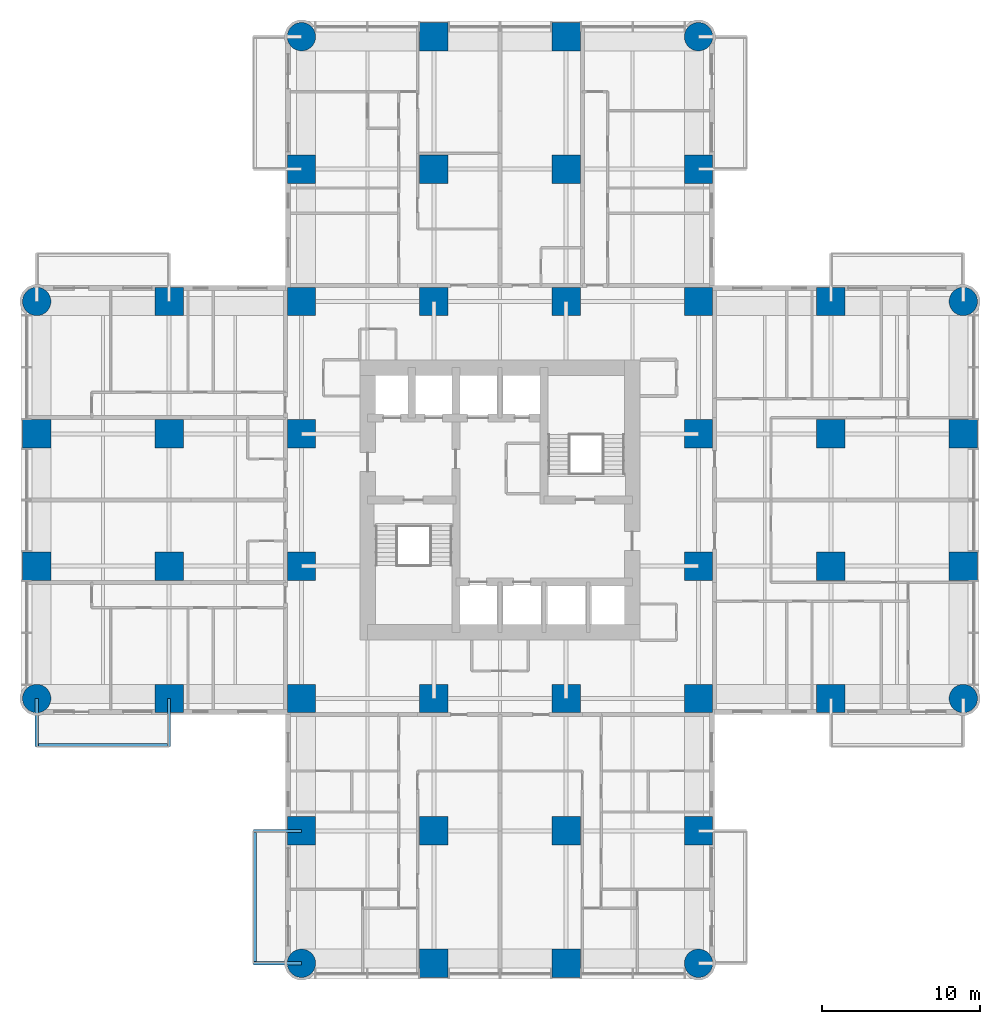
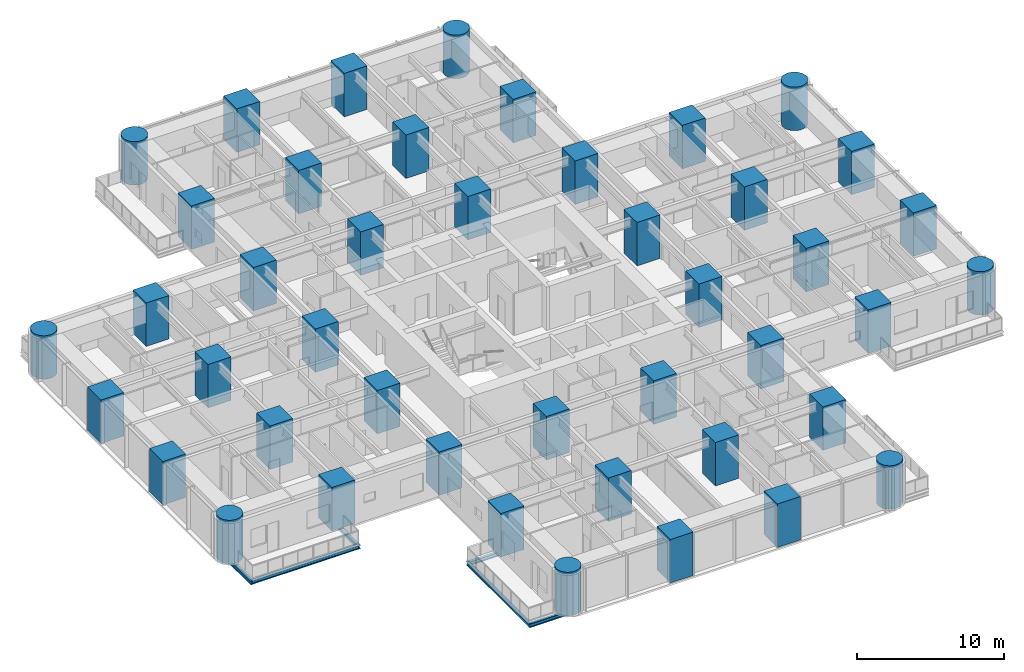
# One storey, part 1 of 17: 44 columns, 6 beams.
"""IFC4 building model written with IfcOpenShell, lengths in metres."""

from ifc_helpers import new_model, si_unit, direction, frame, origin, origin_2d, place, context, subcontext, project, spatial, rectangle, circle, i_section, extrude, material, material_profile, profile_set, type_object, element, save


model = new_model("IFC4")

# Units and contexts
model_context = context("Model", 3, precision=1e-05, world=origin(), true_north=direction((0.0, 1.0)))
body_context = subcontext(model_context, "Body", "Model", "MODEL_VIEW")
ifc_project = project(units=[si_unit("LENGTHUNIT", "METRE"), si_unit("AREAUNIT", "SQUARE_METRE"), si_unit("VOLUMEUNIT", "CUBIC_METRE"), si_unit("PLANEANGLEUNIT", "RADIAN"), si_unit("MASSUNIT", "GRAM", prefix="KILO")], contexts=[model_context])

# Site, building, storey
site_placement = place(None, origin())
site = spatial("IfcSite", under=ifc_project, at=site_placement, CompositionType="ELEMENT")
building_placement = place(site_placement, origin())
building = spatial("IfcBuilding", under=site, at=building_placement, Name="Torre Alcanfor", CompositionType="ELEMENT")
storey_placement = place(building_placement, frame((0.0, 0.0, 70.5)))
storey = spatial("IfcBuildingStorey", under=building, at=storey_placement, Name="L17", CompositionType="ELEMENT", Elevation=70.5)

# Columns
ifc_material_1 = material(Name="Concrete f'c 70 MPa", Category="concrete")
ifc_material_profile_1 = material_profile(ifc_material_1, rectangle(XDim=1.800048828125, YDim=1.800048828125, at=origin_2d()), Name="1800x1800")
ifc_profile_set_1 = profile_set([ifc_material_profile_1], Name="Concrete f'c 70 MPa")
column_type_1 = type_object("IfcColumnType", Name="RC column 1800x1800 f'c70", PredefinedType="COLUMN", material=ifc_profile_set_1)
for number, where, z_axis, x_axis, name in (
    (1, (0.0, 25.199951171875, 0.0), (0.0, 0.0, 1.0), (1.0, 0.0, 0.0), "Column 1/F L17"),
    (2, (0.0, 33.60009765625, 0.0), (0.0, 0.0, 1.0), (1.0, 0.0, 0.0), "Column 1/G L17"),
    (3, (8.39990234375, 16.800048828125, 0.0), (0.0, 0.0, 1.0), (1.0, 0.0, 0.0), "Column 2/E L17"),
    (4, (8.39990234375, 25.199951171875, 0.0), (0.0, 0.0, 1.0), (1.0, 0.0, 0.0), "Column 2/F L17"),
    (5, (8.39990234375, 33.60009765625, 0.0), (0.0, 0.0, 1.0), (1.0, 0.0, 0.0), "Column 2/G L17"),
    (6, (8.39990234375, 42.0, 0.0), (0.0, 0.0, 1.0), (1.0, 0.0, 0.0), "Column 2/H L17"),
    (7, (16.800048828125, 8.39990234375, 0.0), (0.0, 0.0, 1.0), (1.0, 0.0, 0.0), "Column 3/D L17"),
    (8, (16.800048828125, 16.800048828125, 0.0), (0.0, 0.0, 1.0), (1.0, 0.0, 0.0), "Column 3/E L17"),
    (9, (16.800048828125, 25.199951171875, 0.0), (0.0, 0.0, 1.0), (1.0, 0.0, 0.0), "Column 3/F L17"),
    (10, (16.800048828125, 33.60009765625, 0.0), (0.0, 0.0, 1.0), (1.0, 0.0, 0.0), "Column 3/G L17"),
    (11, (16.800048828125, 42.0, 0.0), (0.0, 0.0, 1.0), (1.0, 0.0, 0.0), "Column 3/H L17"),
    (12, (16.800048828125, 50.39990234375, 0.0), (0.0, 0.0, 1.0), (1.0, 0.0, 0.0), "Column 3/J L17"),
    (13, (25.199951171875, 0.0, 0.0), (0.0, 0.0, 1.0), (1.0, 0.0, 0.0), "Column 4/C L17"),
    (14, (25.199951171875, 8.39990234375, 0.0), (0.0, 0.0, 1.0), (1.0, 0.0, 0.0), "Column 4/D L17"),
    (15, (25.199951171875, 16.800048828125, 0.0), (0.0, 0.0, 1.0), (1.0, 0.0, 0.0), "Column 4/E L17"),
    (16, (25.199951171875, 42.0, 0.0), (0.0, 0.0, 1.0), (1.0, 0.0, 0.0), "Column 4/H L17"),
    (17, (25.199951171875, 50.39990234375, 0.0), (0.0, 0.0, 1.0), (1.0, 0.0, 0.0), "Column 4/J L17"),
    (18, (25.199951171875, 58.800048828125, 0.0), (0.0, 0.0, 1.0), (1.0, 0.0, 0.0), "Column 4/K L17"),
    (19, (33.60009765625, 0.0, 0.0), (0.0, 0.0, 1.0), (1.0, 0.0, 0.0), "Column 5/C L17"),
    (20, (33.60009765625, 8.39990234375, 0.0), (0.0, 0.0, 1.0), (1.0, 0.0, 0.0), "Column 5/D L17"),
    (21, (33.60009765625, 16.800048828125, 0.0), (0.0, 0.0, 1.0), (1.0, 0.0, 0.0), "Column 5/E L17"),
    (22, (33.60009765625, 42.0, 0.0), (0.0, 0.0, 1.0), (1.0, 0.0, 0.0), "Column 5/H L17"),
    (23, (33.60009765625, 50.39990234375, 0.0), (0.0, 0.0, 1.0), (1.0, 0.0, 0.0), "Column 5/J L17"),
    (24, (33.60009765625, 58.800048828125, 0.0), (0.0, 0.0, 1.0), (1.0, 0.0, 0.0), "Column 5/K L17"),
    (25, (42.0, 8.39990234375, 0.0), (0.0, 0.0, 1.0), (1.0, 0.0, 0.0), "Column 6/D L17"),
    (26, (42.0, 16.800048828125, 0.0), (0.0, 0.0, 1.0), (1.0, 0.0, 0.0), "Column 6/E L17"),
    (27, (42.0, 25.199951171875, 0.0), (0.0, 0.0, 1.0), (1.0, 0.0, 0.0), "Column 6/F L17"),
    (28, (42.0, 33.60009765625, 0.0), (0.0, 0.0, 1.0), (1.0, 0.0, 0.0), "Column 6/G L17"),
    (29, (42.0, 42.0, 0.0), (0.0, 0.0, 1.0), (1.0, 0.0, 0.0), "Column 6/H L17"),
    (30, (42.0, 50.39990234375, 0.0), (0.0, 0.0, 1.0), (1.0, 0.0, 0.0), "Column 6/J L17"),
    (31, (50.39990234375, 16.800048828125, 0.0), (0.0, 0.0, 1.0), (1.0, 0.0, 0.0), "Column 7/E L17"),
    (32, (50.39990234375, 25.199951171875, 0.0), (0.0, 0.0, 1.0), (1.0, 0.0, 0.0), "Column 7/F L17"),
    (33, (50.39990234375, 33.60009765625, 0.0), (0.0, 0.0, 1.0), (1.0, 0.0, 0.0), "Column 7/G L17"),
    (34, (50.39990234375, 42.0, 0.0), (0.0, 0.0, 1.0), (1.0, 0.0, 0.0), "Column 7/H L17"),
    (35, (58.800048828125, 25.199951171875, 0.0), (0.0, 0.0, 1.0), (1.0, 0.0, 0.0), "Column 8/F L17"),
    (36, (58.800048828125, 33.60009765625, 0.0), (0.0, 0.0, 1.0), (1.0, 0.0, 0.0), "Column 8/G L17"),
):
    element("IfcColumn", number, at=place(storey_placement, frame(where, z_axis=z_axis, x_axis=x_axis)), inside=storey, type_object=column_type_1, Name=name, PredefinedType="COLUMN", context=body_context, shape_type="SweptSolid", body=[
        extrude(rectangle(XDim=1.800048828125, YDim=1.800048828125, at=origin_2d()), origin(), (0.0, 0.0, 1.0), 3.60009765625),
    ])
ifc_material_2 = material(Name="Concrete f'c 70 MPa", Category="concrete")
ifc_material_profile_2 = material_profile(ifc_material_2, circle(Radius=0.89990234375, at=origin_2d()), Name="D1800")
ifc_profile_set_2 = profile_set([ifc_material_profile_2], Name="Concrete f'c 70 MPa")
column_type_2 = type_object("IfcColumnType", Name="RC column D1800 f'c70", PredefinedType="COLUMN", material=ifc_profile_set_2)
for number, where, z_axis, x_axis, name in (
    (37, (0.0, 16.800048828125, 0.0), (0.0, 0.0, 1.0), (1.0, 0.0, 0.0), "Column 1/E L17"),
    (38, (0.0, 42.0, 0.0), (0.0, 0.0, 1.0), (1.0, 0.0, 0.0), "Column 1/H L17"),
    (39, (16.800048828125, 0.0, 0.0), (0.0, 0.0, 1.0), (1.0, 0.0, 0.0), "Column 3/C L17"),
    (40, (16.800048828125, 58.800048828125, 0.0), (0.0, 0.0, 1.0), (1.0, 0.0, 0.0), "Column 3/K L17"),
    (41, (42.0, 0.0, 0.0), (0.0, 0.0, 1.0), (1.0, 0.0, 0.0), "Column 6/C L17"),
    (42, (42.0, 58.800048828125, 0.0), (0.0, 0.0, 1.0), (1.0, 0.0, 0.0), "Column 6/K L17"),
    (43, (58.800048828125, 16.800048828125, 0.0), (0.0, 0.0, 1.0), (1.0, 0.0, 0.0), "Column 8/E L17"),
    (44, (58.800048828125, 42.0, 0.0), (0.0, 0.0, 1.0), (1.0, 0.0, 0.0), "Column 8/H L17"),
):
    element("IfcColumn", number, at=place(storey_placement, frame(where, z_axis=z_axis, x_axis=x_axis)), inside=storey, type_object=column_type_2, Name=name, PredefinedType="COLUMN", context=body_context, shape_type="SweptSolid", body=[
        extrude(circle(Radius=0.89990234375, at=origin_2d()), origin(), (0.0, 0.0, 1.0), 3.60009765625),
    ])

# Beams
ifc_material_3 = material(Name="Steel ASTM A992 Grade 50", Category="steel")
ifc_material_profile_3 = material_profile(ifc_material_3, i_section(OverallWidth=0.205322265625, OverallDepth=0.309814453125, WebThickness=0.00927734375, FlangeThickness=0.016357421875, at=origin_2d()), Name="W12x50")
ifc_profile_set_3 = profile_set([ifc_material_profile_3], Name="Steel ASTM A992 Grade 50")
beam_type_1 = type_object("IfcBeamType", Name="Balcony cantilever beam W12x50", PredefinedType="BEAM", material=ifc_profile_set_3)
for number, where, z_axis, x_axis, name in (
    (45, (16.800048828125, 8.39990234375, -0.35498046875), (-1.0, 0.0, 0.0), (0.0, -1.0, 0.0), "Balcony cantilever beam L17-S2 1"),
    (46, (16.800048828125, 0.0, -0.35498046875), (-1.0, 0.0, 0.0), (0.0, -1.0, 0.0), "Balcony cantilever beam L17-S2 2"),
    (47, (8.39990234375, 16.800048828125, -0.35498046875), (0.0, -1.0, 0.0), (1.0, 0.0, 0.0), "Balcony cantilever beam L17-W1 1"),
    (48, (0.0, 16.800048828125, -0.35498046875), (0.0, -1.0, 0.0), (1.0, 0.0, 0.0), "Balcony cantilever beam L17-W1 2"),
):
    element("IfcBeam", number, at=place(storey_placement, frame(where, z_axis=z_axis, x_axis=x_axis)), inside=storey, type_object=beam_type_1, Name=name, PredefinedType="BEAM", context=body_context, shape_type="SweptSolid", body=[
        extrude(i_section(OverallWidth=0.205322265625, OverallDepth=0.309814453125, WebThickness=0.00927734375, FlangeThickness=0.016357421875, at=origin_2d()), origin(), (0.0, 0.0, 1.0), 3.050048828125),
    ])
ifc_material_4 = material(Name="Steel ASTM A992 Grade 50", Category="steel")
ifc_material_profile_4 = material_profile(ifc_material_4, i_section(OverallWidth=0.203369140625, OverallDepth=0.30224609375, WebThickness=0.007568359375, FlangeThickness=0.01318359375, at=origin_2d()), Name="W12x40")
ifc_profile_set_4 = profile_set([ifc_material_profile_4], Name="Steel ASTM A992 Grade 50")
beam_type_2 = type_object("IfcBeamType", Name="Balcony edge trimmer W12x40", PredefinedType="BEAM", material=ifc_profile_set_4)
for number, where, z_axis, x_axis, name in (
    (49, (13.851806640625, 8.39990234375, -0.35107421875), (0.0, -1.0, 0.0), (1.0, 0.0, 0.0), "Balcony edge trimmer L17-S2"),
    (50, (8.39990234375, 13.851806640625, -0.35107421875), (-1.0, 0.0, 0.0), (0.0, -1.0, 0.0), "Balcony edge trimmer L17-W1"),
):
    element("IfcBeam", number, at=place(storey_placement, frame(where, z_axis=z_axis, x_axis=x_axis)), inside=storey, type_object=beam_type_2, Name=name, PredefinedType="BEAM", context=body_context, shape_type="SweptSolid", body=[
        extrude(i_section(OverallWidth=0.203369140625, OverallDepth=0.30224609375, WebThickness=0.007568359375, FlangeThickness=0.01318359375, at=origin_2d()), origin(), (0.0, 0.0, 1.0), 8.39990234375),
    ])

save(model, "model.ifc")
